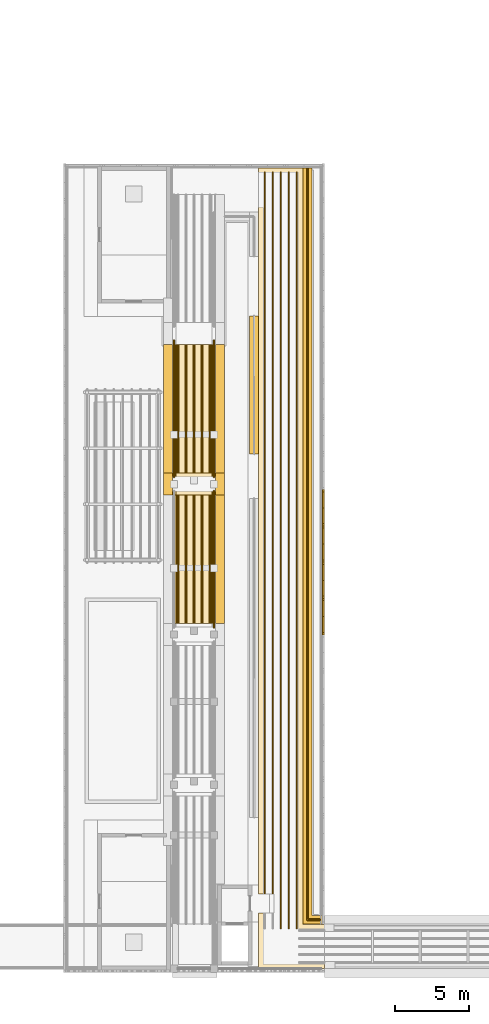
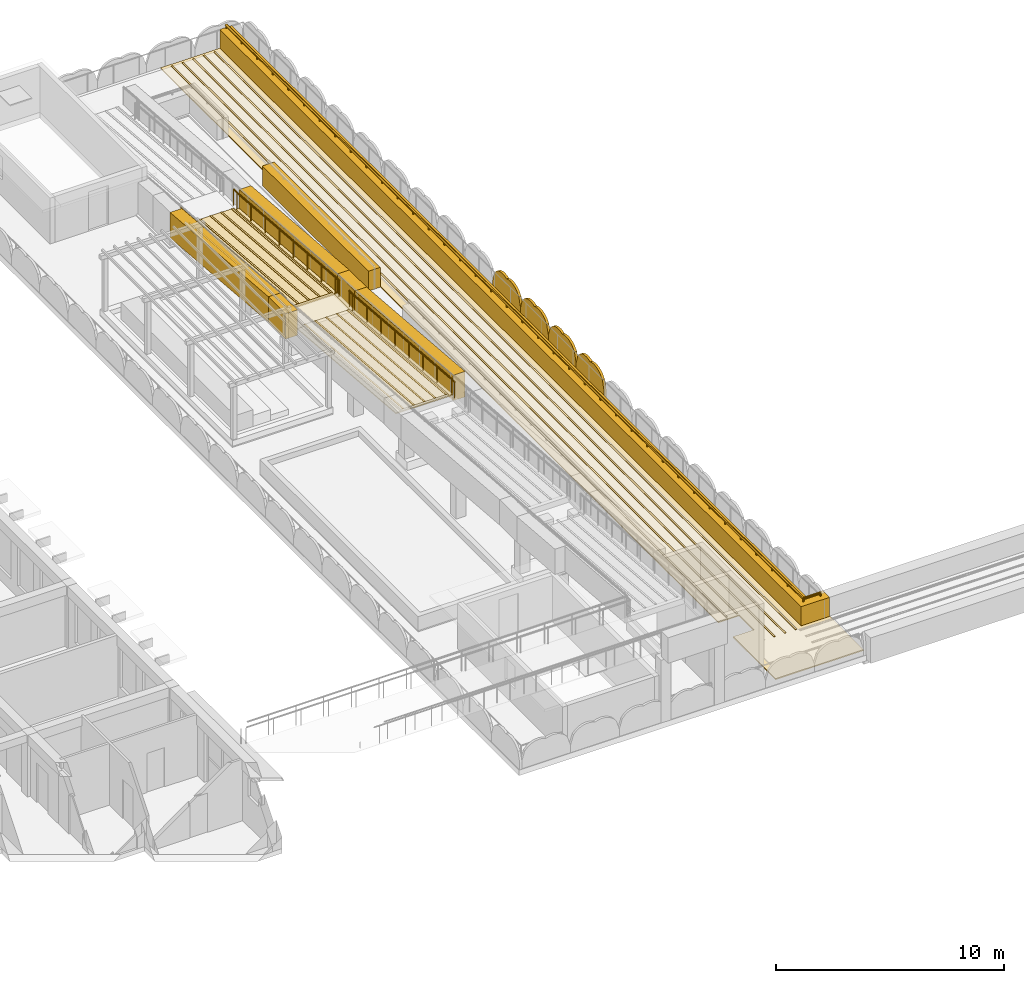
# One storey, part 64 of 65: 29 coverings, 4 railings, 4 shading devices.
"""IFC4 building model written with IfcOpenShell, lengths in metres."""

from ifc_helpers import new_model, si_unit, direction, frame, origin, origin_2d, place, context, subcontext, project, spatial, polyline, circle, outline, extrude, material, layer, layer_set, type_object, element, save


model = new_model("IFC4")

# Units and contexts
model_context = context("Model", 3, precision=1e-05, world=origin(), true_north=direction((0.0, 1.0)))
body_context = subcontext(model_context, "Body", "Model", "MODEL_VIEW")
ifc_project = project(units=[si_unit("LENGTHUNIT", "METRE"), si_unit("AREAUNIT", "SQUARE_METRE"), si_unit("VOLUMEUNIT", "CUBIC_METRE"), si_unit("PLANEANGLEUNIT", "RADIAN"), si_unit("MASSUNIT", "GRAM", prefix="KILO")], contexts=[model_context])

# Site, building, storey
site_placement = place(None, origin())
site = spatial("IfcSite", under=ifc_project, at=site_placement, CompositionType="ELEMENT")
building_placement = place(site_placement, origin())
building = spatial("IfcBuilding", under=site, at=building_placement, Name="Elbe Cascade School", CompositionType="ELEMENT")
storey_placement = place(building_placement, frame((0.0, 0.0, 11.699951171875)))
storey = spatial("IfcBuildingStorey", under=building, at=storey_placement, Name="L03", CompositionType="ELEMENT", Elevation=11.699951171875)

# Shading devices
ifc_material_1 = material(Name="Precast concrete C40/50", Category="concrete")
ifc_layer_1 = layer(ifc_material_1, 0.1201171875)
ifc_layer_set_1 = layer_set([ifc_layer_1], Name="Precast concrete C40/50")
shading_device_type = type_object("IfcShadingDeviceType", Name="Bars envelope Attic jali screen, pointed arch top, pierced precast concrete, 1200 high", PredefinedType="USERDEFINED", material=ifc_layer_set_1)
shading_device_1_placement = place(storey_placement, frame((145.52001953125, 28.523681640625, 0.0), z_axis=(1.0, 0.0, 0.0), x_axis=(0.0, 1.0, 0.0)))
element("IfcShadingDevice", 1, at=shading_device_1_placement, inside=storey, type_object=shading_device_type, Name="Attic jali screen SD1 C.L03.e10", ObjectType="JALI", PredefinedType="USERDEFINED", context=body_context, shape_type="SweptSolid", body=[
    extrude(outline(polyline([(0.0, 0.0), (2.440673828125, 0.0), (2.440673828125, 0.400146484375), (2.2880859375, 0.892822265625), (2.135498046875, 1.062744140625), (1.98291015625, 1.16748046875), (1.83056640625, 1.23193359375), (1.677978515625, 1.265380859375), (1.525390625, 1.271240234375), (1.372802734375, 1.250244140625), (1.22021484375, 1.199951171875), (1.06787109375, 1.250244140625), (0.915283203125, 1.271240234375), (0.762939453125, 1.265380859375), (0.610107421875, 1.23193359375), (0.457763671875, 1.16748046875), (0.30517578125, 1.062744140625), (0.152587890625, 0.892822265625), (0.0, 0.400146484375), (0.0, 0.0)])), origin(), (0.0, 0.0, -1.0), 0.1201171875),
])
shading_device_2_placement = place(storey_placement, frame((145.52001953125, 30.96435546875, 0.0), z_axis=(1.0, 0.0, 0.0), x_axis=(0.0, 1.0, 0.0)))
element("IfcShadingDevice", 2, at=shading_device_2_placement, inside=storey, type_object=shading_device_type, Name="Attic jali screen SD1 C.L03.e11", ObjectType="JALI", PredefinedType="USERDEFINED", context=body_context, shape_type="SweptSolid", body=[
    extrude(outline(polyline([(0.0, 0.0), (2.4404296875, 0.0), (2.4404296875, 0.400146484375), (2.287841796875, 0.892822265625), (2.13525390625, 1.062744140625), (1.98291015625, 1.16748046875), (1.830322265625, 1.23193359375), (1.677734375, 1.265380859375), (1.525146484375, 1.271240234375), (1.372802734375, 1.250244140625), (1.22021484375, 1.199951171875), (1.067626953125, 1.250244140625), (0.9150390625, 1.271240234375), (0.762451171875, 1.265380859375), (0.610107421875, 1.23193359375), (0.45751953125, 1.16748046875), (0.304931640625, 1.062744140625), (0.15234375, 0.892822265625), (0.0, 0.400146484375), (0.0, 0.0)])), origin(), (0.0, 0.0, -1.0), 0.1201171875),
])
shading_device_3_placement = place(storey_placement, frame((145.52001953125, 33.40478515625, 0.0), z_axis=(1.0, 0.0, 0.0), x_axis=(0.0, 1.0, 0.0)))
element("IfcShadingDevice", 3, at=shading_device_3_placement, inside=storey, type_object=shading_device_type, Name="Attic jali screen SD1 C.L03.e12", ObjectType="JALI", PredefinedType="USERDEFINED", context=body_context, shape_type="SweptSolid", body=[
    extrude(outline(polyline([(0.0, 0.0), (2.4404296875, 0.0), (2.4404296875, 0.400146484375), (2.287841796875, 0.892822265625), (2.135498046875, 1.062744140625), (1.98291015625, 1.16748046875), (1.830322265625, 1.23193359375), (1.677734375, 1.265380859375), (1.525390625, 1.271240234375), (1.372802734375, 1.250244140625), (1.22021484375, 1.199951171875), (1.067626953125, 1.250244140625), (0.9150390625, 1.271240234375), (0.7626953125, 1.265380859375), (0.610107421875, 1.23193359375), (0.45751953125, 1.16748046875), (0.304931640625, 1.062744140625), (0.152587890625, 0.892822265625), (0.0, 0.400146484375), (0.0, 0.0)])), origin(), (0.0, 0.0, -1.0), 0.1201171875),
])
shading_device_4_placement = place(storey_placement, frame((145.52001953125, 35.84521484375, 0.0), z_axis=(1.0, 0.0, 0.0), x_axis=(0.0, 1.0, 0.0)))
element("IfcShadingDevice", 4, at=shading_device_4_placement, inside=storey, type_object=shading_device_type, Name="Attic jali screen SD1 C.L03.e13", ObjectType="JALI", PredefinedType="USERDEFINED", context=body_context, shape_type="SweptSolid", body=[
    extrude(outline(polyline([(0.0, 0.0), (2.4404296875, 0.0), (2.4404296875, 0.400146484375), (2.2880859375, 0.892822265625), (2.135498046875, 1.062744140625), (1.98291015625, 1.16748046875), (1.830322265625, 1.23193359375), (1.677978515625, 1.265380859375), (1.525390625, 1.271240234375), (1.372802734375, 1.250244140625), (1.22021484375, 1.199951171875), (1.067626953125, 1.250244140625), (0.915283203125, 1.271240234375), (0.7626953125, 1.265380859375), (0.610107421875, 1.23193359375), (0.45751953125, 1.16748046875), (0.30517578125, 1.062744140625), (0.152587890625, 0.892822265625), (0.0, 0.400146484375), (0.0, 0.0)])), origin(), (0.0, 0.0, -1.0), 0.1201171875),
])

# Coverings
ifc_material_2 = material(Name="Running track surfacing - white lines", Category="surfacing")
ifc_layer_2 = layer(ifc_material_2, 0.02001953125)
ifc_layer_set_2 = layer_set([ifc_layer_2], Name="Running track surfacing - white lines")
covering_type_1 = type_object("IfcCoveringType", Name="Lane marking 80", PredefinedType="FLOORING", material=ifc_layer_set_2)
covering_1_placement = place(storey_placement, frame((0.0, 0.0, 0.219970703125)))
element("IfcCovering", 5, at=covering_1_placement, inside=storey, type_object=covering_type_1, Name="Lane marking C roof strip 1", PredefinedType="FLOORING", context=body_context, shape_type="SweptSolid", body=[
    extrude(outline(polyline([(141.47998046875, 59.699951171875), (141.56005859375, 59.699951171875), (141.56005859375, 11.050048828125), (141.47998046875, 11.050048828125), (141.47998046875, 59.699951171875)])), origin(), (0.0, 0.0, 1.0), 0.02001953125),
])
covering_2_placement = place(storey_placement, frame((0.0, 0.0, 0.219970703125)))
element("IfcCovering", 6, at=covering_2_placement, inside=storey, type_object=covering_type_1, Name="Lane marking C roof strip 2", PredefinedType="FLOORING", context=body_context, shape_type="SweptSolid", body=[
    extrude(outline(polyline([(142.02001953125, 59.699951171875), (142.10009765625, 59.699951171875), (142.10009765625, 11.050048828125), (142.02001953125, 11.050048828125), (142.02001953125, 59.699951171875)])), origin(), (0.0, 0.0, 1.0), 0.02001953125),
])
covering_3_placement = place(storey_placement, frame((0.0, 0.0, 0.219970703125)))
element("IfcCovering", 7, at=covering_3_placement, inside=storey, type_object=covering_type_1, Name="Lane marking C roof strip 3", PredefinedType="FLOORING", context=body_context, shape_type="SweptSolid", body=[
    extrude(outline(polyline([(142.56005859375, 59.699951171875), (142.639892578125, 59.699951171875), (142.639892578125, 8.699951171875), (142.56005859375, 8.699951171875), (142.56005859375, 59.699951171875)])), origin(), (0.0, 0.0, 1.0), 0.02001953125),
])
covering_4_placement = place(storey_placement, frame((0.0, 0.0, 0.219970703125)))
element("IfcCovering", 8, at=covering_4_placement, inside=storey, type_object=covering_type_1, Name="Lane marking C roof strip 4", PredefinedType="FLOORING", context=body_context, shape_type="SweptSolid", body=[
    extrude(outline(polyline([(143.10009765625, 59.699951171875), (143.179931640625, 59.699951171875), (143.179931640625, 8.699951171875), (143.10009765625, 8.699951171875), (143.10009765625, 59.699951171875)])), origin(), (0.0, 0.0, 1.0), 0.02001953125),
])
covering_5_placement = place(storey_placement, frame((0.0, 0.0, 0.219970703125)))
element("IfcCovering", 9, at=covering_5_placement, inside=storey, type_object=covering_type_1, Name="Lane marking C roof strip 5", PredefinedType="FLOORING", context=body_context, shape_type="SweptSolid", body=[
    extrude(outline(polyline([(143.639892578125, 59.699951171875), (143.719970703125, 59.699951171875), (143.719970703125, 8.699951171875), (143.639892578125, 8.699951171875), (143.639892578125, 59.699951171875)])), origin(), (0.0, 0.0, 1.0), 0.02001953125),
])
for number, where, z_axis, x_axis, name in (
    (10, (135.6298828125, 29.280029296875, 2.400146484375), (0.0, 0.083071114863, 0.996543621662), (0.0, 0.996543621662, -0.083071114863), "Lane marking C ramp flight 3 line 1"),
    (11, (136.169921875, 29.280029296875, 2.400146484375), (0.0, 0.083071114863, 0.996543621662), (0.0, 0.996543621662, -0.083071114863), "Lane marking C ramp flight 3 line 2"),
    (12, (136.7099609375, 29.280029296875, 2.400146484375), (0.0, 0.083071114863, 0.996543621662), (0.0, 0.996543621662, -0.083071114863), "Lane marking C ramp flight 3 line 3"),
    (13, (137.25, 29.280029296875, 2.400146484375), (0.0, 0.083071114863, 0.996543621662), (0.0, 0.996543621662, -0.083071114863), "Lane marking C ramp flight 3 line 4"),
    (14, (137.7900390625, 29.280029296875, 2.400146484375), (0.0, 0.083071114863, 0.996543621662), (0.0, 0.996543621662, -0.083071114863), "Lane marking C ramp flight 3 line 5"),
):
    element("IfcCovering", number, at=place(storey_placement, frame(where, z_axis=z_axis, x_axis=x_axis)), inside=storey, type_object=covering_type_1, Name=name, PredefinedType="FLOORING", context=body_context, shape_type="SweptSolid", body=[
        extrude(outline(polyline([(0.0, 0.0), (8.669858890587395, 0.0), (8.669858890587395, -0.08007812499999999), (0.0, -0.08007812499999999), (0.0, 0.0)])), origin(), (0.083071114863, 0.0, -0.996543621662), 0.02001953125),
    ])
for number, where, z_axis, x_axis, name in (
    (15, (135.6298828125, 39.419921875, 1.679931640625), (0.0, 0.083040819057, 0.996546146634), (0.0, 0.996546146634, -0.083040819057), "Lane marking C ramp flight 4 line 1"),
    (16, (136.169921875, 39.419921875, 1.679931640625), (0.0, 0.083040819057, 0.996546146634), (0.0, 0.996546146634, -0.083040819057), "Lane marking C ramp flight 4 line 2"),
    (17, (136.7099609375, 39.419921875, 1.679931640625), (0.0, 0.083040819057, 0.996546146634), (0.0, 0.996546146634, -0.083040819057), "Lane marking C ramp flight 4 line 3"),
    (18, (137.25, 39.419921875, 1.679931640625), (0.0, 0.083040819057, 0.996546146634), (0.0, 0.996546146634, -0.083040819057), "Lane marking C ramp flight 4 line 4"),
    (19, (137.7900390625, 39.419921875, 1.679931640625), (0.0, 0.083040819057, 0.996546146634), (0.0, 0.996546146634, -0.083040819057), "Lane marking C ramp flight 4 line 5"),
):
    element("IfcCovering", number, at=place(storey_placement, frame(where, z_axis=z_axis, x_axis=x_axis)), inside=storey, type_object=covering_type_1, Name=name, PredefinedType="FLOORING", context=body_context, shape_type="SweptSolid", body=[
        extrude(outline(polyline([(0.0, 0.0), (8.670081910342619, 0.0), (8.670081910342619, -0.080078125), (0.0, -0.080078125), (0.0, 0.0)])), origin(), (0.083040819057, 0.0, -0.996546146634), 0.02001953125),
    ])
ifc_material_3 = material(Name="Concrete C30/37 precast parapet", Category="concrete")
ifc_layer_3 = layer(ifc_material_3, 0.60009765625)
ifc_layer_set_3 = layer_set([ifc_layer_3], Name="Concrete C30/37 precast parapet")
covering_type_2 = type_object("IfcCoveringType", Name="Ramp and bridge parapet 600", PredefinedType="CLADDING", material=ifc_layer_set_3)
covering_6_placement = place(storey_placement, frame((0.0, 0.0, 1.199951171875)))
element("IfcCovering", 20, at=covering_6_placement, inside=storey, type_object=covering_type_2, Name="Ramp C landing 4 parapet w1", PredefinedType="CLADDING", context=body_context, shape_type="SweptSolid", body=[
    extrude(outline(polyline([(134.699951171875, 37.919921875), (135.300048828125, 37.919921875), (135.300048828125, 39.419921875), (134.699951171875, 39.419921875), (134.699951171875, 37.919921875)])), origin(), (0.0, 0.0, 1.0), 1.360107421875),
])
covering_7_placement = place(storey_placement, frame((134.699951171875, 39.419921875, 2.56005859375), z_axis=(0.0, 0.083040819057, 0.996546146634), x_axis=(0.0, 0.996546146634, -0.083040819057)))
element("IfcCovering", 21, at=covering_7_placement, inside=storey, type_object=covering_type_2, Name="Ramp C flight 4 parapet w1", PredefinedType="CLADDING", context=body_context, shape_type="SweptSolid", body=[
    extrude(outline(polyline([(0.0, 0.0), (8.670081910342619, 0.0), (8.670081910342619, -0.60009765625), (0.0, -0.60009765625), (0.0, 0.0)])), origin(), (0.083040819057, 0.0, -0.996546146634), 1.360107421875),
])
covering_8_placement = place(storey_placement, frame((0.0, 0.0, 1.199951171875)))
element("IfcCovering", 22, at=covering_8_placement, inside=storey, type_object=covering_type_2, Name="Ramp C landing 4 parapet e1", PredefinedType="CLADDING", context=body_context, shape_type="SweptSolid", body=[
    extrude(outline(polyline([(138.199951171875, 37.919921875), (138.800048828125, 37.919921875), (138.800048828125, 39.419921875), (138.199951171875, 39.419921875), (138.199951171875, 37.919921875)])), origin(), (0.0, 0.0, 1.0), 1.360107421875),
])
covering_9_placement = place(storey_placement, frame((138.199951171875, 29.280029296875, 3.280029296875), z_axis=(0.0, 0.08304314939, 0.996545952447), x_axis=(0.0, 0.996545952447, -0.08304314939)))
element("IfcCovering", 23, at=covering_9_placement, inside=storey, type_object=covering_type_2, Name="Ramp C flight 3 parapet e1", PredefinedType="CLADDING", context=body_context, shape_type="SweptSolid", body=[
    extrude(outline(polyline([(0.0, 0.0), (8.669838612967244, 0.0), (8.669838612967244, -0.60009765625), (0.0, -0.60009765625), (0.0, 0.0)])), origin(), (0.08304314939, 0.0, -0.996545952447), 1.360107421875),
])
covering_10_placement = place(storey_placement, frame((138.199951171875, 39.419921875, 2.56005859375), z_axis=(0.0, 0.083040819057, 0.996546146634), x_axis=(0.0, 0.996546146634, -0.083040819057)))
element("IfcCovering", 24, at=covering_10_placement, inside=storey, type_object=covering_type_2, Name="Ramp C flight 4 parapet e1", PredefinedType="CLADDING", context=body_context, shape_type="SweptSolid", body=[
    extrude(outline(polyline([(0.0, 0.0), (8.670081910342619, 0.0), (8.670081910342619, -0.60009765625), (0.0, -0.60009765625), (0.0, 0.0)])), origin(), (0.083040819057, 0.0, -0.996546146634), 1.360107421875),
])
ifc_material_4 = material(Name="Running track surfacing - red", Category="surfacing")
ifc_layer_4 = layer(ifc_material_4, 0.10009765625)
ifc_layer_set_4 = layer_set([ifc_layer_4], Name="Running track surfacing - red")
covering_type_3 = type_object("IfcCoveringType", Name="Running track band 100", PredefinedType="USERDEFINED", material=ifc_layer_set_4)
covering_11_placement = place(storey_placement, frame((0.0, 0.0, 1.56005859375)))
element("IfcCovering", 25, at=covering_11_placement, inside=storey, type_object=covering_type_3, Name="Running track band C ramp landing 4", ObjectType="RUNNING TRACK", PredefinedType="USERDEFINED", context=body_context, shape_type="SweptSolid", body=[
    extrude(outline(polyline([(137.949951171875, 37.919921875), (137.949951171875, 39.419921875), (135.550048828125, 39.419921875), (135.550048828125, 37.919921875), (137.949951171875, 37.919921875)])), origin(), (0.0, 0.0, 1.0), 0.10009765625),
])
covering_12_placement = place(storey_placement, frame((135.550048828125, 29.280029296875, 2.380126953125), z_axis=(0.0, 0.08304314939, 0.996545952447), x_axis=(0.0, 0.996545952447, -0.08304314939)))
element("IfcCovering", 26, at=covering_12_placement, inside=storey, type_object=covering_type_3, Name="Running track band C ramp flight 3", ObjectType="RUNNING TRACK", PredefinedType="USERDEFINED", context=body_context, shape_type="SweptSolid", body=[
    extrude(outline(polyline([(0.0, 0.0), (8.669838612967244, 0.0), (8.669838612967244, -2.3999023437500004), (0.0, -2.3999023437500004), (0.0, 0.0)])), origin(), (0.08304314939, 0.0, -0.996545952447), 0.10009765625),
])
covering_13_placement = place(storey_placement, frame((135.550048828125, 39.419921875, 1.66015625), z_axis=(0.0, 0.083068783756, 0.996543815979), x_axis=(0.0, 0.996543815979, -0.083068783756)))
element("IfcCovering", 27, at=covering_13_placement, inside=storey, type_object=covering_type_3, Name="Running track band C ramp flight 4", ObjectType="RUNNING TRACK", PredefinedType="USERDEFINED", context=body_context, shape_type="SweptSolid", body=[
    extrude(outline(polyline([(0.0, 0.0), (8.670102187393748, 0.0), (8.670102187393748, -2.39990234375), (0.0, -2.39990234375), (0.0, 0.0)])), origin(), (0.083068783756, 0.0, -0.996543815979), 0.10009765625),
])
ifc_material_5 = material(Name="Running track surfacing - red", Category="surfacing")
ifc_layer_5 = layer(ifc_material_5, 0.06005859375)
ifc_layer_set_5 = layer_set([ifc_layer_5], Name="Running track surfacing - red")
covering_type_4 = type_object("IfcCoveringType", Name="Running track surfacing 60", PredefinedType="USERDEFINED", material=ifc_layer_set_5)
covering_14_placement = place(storey_placement, frame((0.0, 0.0, 0.06005859375)))
element("IfcCovering", 28, at=covering_14_placement, inside=storey, type_object=covering_type_4, Name="Running track C roof", ObjectType="RUNNING TRACK", PredefinedType="USERDEFINED", context=body_context, shape_type="SweptSolid", body=[
    extrude(outline(polyline([(141.10009765625, 59.969970703125), (144.10009765625, 59.969970703125), (144.10009765625, 8.969970703125), (145.550048828125, 8.969970703125), (145.550048828125, 6.030029296875), (141.10009765625, 6.030029296875), (141.10009765625, 9.75), (142.14990234375, 9.75), (142.14990234375, 11.050048828125), (141.10009765625, 11.050048828125), (141.10009765625, 59.969970703125)])), origin(), (0.0, 0.0, 1.0), 0.06005859375),
])
covering_15_placement = place(storey_placement, frame((0.0, 0.0, 1.5)))
element("IfcCovering", 29, at=covering_15_placement, inside=storey, type_object=covering_type_4, Name="Running track C ramp landing 4", ObjectType="RUNNING TRACK", PredefinedType="USERDEFINED", context=body_context, shape_type="SweptSolid", body=[
    extrude(outline(polyline([(138.199951171875, 37.919921875), (138.199951171875, 39.419921875), (135.300048828125, 39.419921875), (135.300048828125, 37.919921875), (138.199951171875, 37.919921875)])), origin(), (0.0, 0.0, 1.0), 0.06005859375),
])
covering_16_placement = place(storey_placement, frame((135.300048828125, 29.280029296875, 2.280029296875), z_axis=(0.0, 0.08304314939, 0.996545952447), x_axis=(0.0, 0.996545952447, -0.08304314939)))
element("IfcCovering", 30, at=covering_16_placement, inside=storey, type_object=covering_type_4, Name="Running track C ramp flight 3", ObjectType="RUNNING TRACK", PredefinedType="USERDEFINED", context=body_context, shape_type="SweptSolid", body=[
    extrude(outline(polyline([(0.0, 0.0), (8.669838612967244, 0.0), (8.669838612967244, -2.89990234375), (0.0, -2.89990234375), (0.0, 0.0)])), origin(), (0.08304314939, 0.0, -0.996545952447), 0.06005859375),
])
covering_17_placement = place(storey_placement, frame((135.300048828125, 39.419921875, 1.56005859375), z_axis=(0.0, 0.083040819057, 0.996546146634), x_axis=(0.0, 0.996546146634, -0.083040819057)))
element("IfcCovering", 31, at=covering_17_placement, inside=storey, type_object=covering_type_4, Name="Running track C ramp flight 4", ObjectType="RUNNING TRACK", PredefinedType="USERDEFINED", context=body_context, shape_type="SweptSolid", body=[
    extrude(outline(polyline([(0.0, 0.0), (8.670081910342619, 0.0), (8.670081910342619, -2.89990234375), (0.0, -2.89990234375), (0.0, 0.0)])), origin(), (0.083040819057, 0.0, -0.996546146634), 0.06005859375),
])

# Railings
ifc_material_6 = material(Name="Steel S355J2H", Category="steel")
railing_type_1 = type_object("IfcRailingType", Name="Track edge rail 1280", PredefinedType="GUARDRAIL", material=ifc_material_6)
railing_1_placement = place(storey_placement, frame((144.39990234375, 59.927978515625, 0.06005859375)))
element("IfcRailing", 32, at=railing_1_placement, inside=storey, type_object=railing_type_1, Name="Track edge rail RL6 C east", PredefinedType="GUARDRAIL", context=body_context, shape_type="SweptSolid", body=[
    extrude(circle(Radius=0.06005859375, at=origin_2d()), frame((0.0, 0.0, 1.219970703125), z_axis=(0.0, -1.0, 0.0), x_axis=(1.0, 0.0, 0.0)), (0.0, 0.0, 1.0), 50.6279296875),
    extrude(circle(Radius=0.06005859375, at=origin_2d()), frame((0.0, -50.6279296875, 1.219970703125), z_axis=(1.0, 0.0, 0.0), x_axis=(0.0, 1.0, 0.0)), (0.0, 0.0, 1.0), 0.858154296875),
    extrude(circle(Radius=0.0400390625, at=origin_2d()), origin(), (0.0, 0.0, 1.0), 1.159912109375),
    extrude(circle(Radius=0.0400390625, at=origin_2d()), frame((0.0, -1.368408203125, 0.0)), (0.0, 0.0, 1.0), 1.159912109375),
    extrude(circle(Radius=0.0400390625, at=origin_2d()), frame((0.0, -2.736572265625, 0.0)), (0.0, 0.0, 1.0), 1.159912109375),
    extrude(circle(Radius=0.0400390625, at=origin_2d()), frame((0.0, -4.10498046875, 0.0)), (0.0, 0.0, 1.0), 1.159912109375),
    extrude(circle(Radius=0.0400390625, at=origin_2d()), frame((0.0, -5.473388671875, 0.0)), (0.0, 0.0, 1.0), 1.159912109375),
    extrude(circle(Radius=0.0400390625, at=origin_2d()), frame((0.0, -6.841552734375, 0.0)), (0.0, 0.0, 1.0), 1.159912109375),
    extrude(circle(Radius=0.0400390625, at=origin_2d()), frame((0.0, -8.2099609375, 0.0)), (0.0, 0.0, 1.0), 1.159912109375),
    extrude(circle(Radius=0.0400390625, at=origin_2d()), frame((0.0, -9.578369140625, 0.0)), (0.0, 0.0, 1.0), 1.159912109375),
    extrude(circle(Radius=0.0400390625, at=origin_2d()), frame((0.0, -10.946533203125, 0.0)), (0.0, 0.0, 1.0), 1.159912109375),
    extrude(circle(Radius=0.0400390625, at=origin_2d()), frame((0.0, -12.31494140625, 0.0)), (0.0, 0.0, 1.0), 1.159912109375),
    extrude(circle(Radius=0.0400390625, at=origin_2d()), frame((0.0, -13.68310546875, 0.0)), (0.0, 0.0, 1.0), 1.159912109375),
    extrude(circle(Radius=0.0400390625, at=origin_2d()), frame((0.0, -15.051513671875, 0.0)), (0.0, 0.0, 1.0), 1.159912109375),
    extrude(circle(Radius=0.0400390625, at=origin_2d()), frame((0.0, -16.419921875, 0.0)), (0.0, 0.0, 1.0), 1.159912109375),
    extrude(circle(Radius=0.0400390625, at=origin_2d()), frame((0.0, -17.7880859375, 0.0)), (0.0, 0.0, 1.0), 1.159912109375),
    extrude(circle(Radius=0.0400390625, at=origin_2d()), frame((0.0, -19.156494140625, 0.0)), (0.0, 0.0, 1.0), 1.159912109375),
    extrude(circle(Radius=0.0400390625, at=origin_2d()), frame((0.0, -20.52490234375, 0.0)), (0.0, 0.0, 1.0), 1.159912109375),
    extrude(circle(Radius=0.0400390625, at=origin_2d()), frame((0.0, -21.89306640625, 0.0)), (0.0, 0.0, 1.0), 1.159912109375),
    extrude(circle(Radius=0.0400390625, at=origin_2d()), frame((0.0, -23.261474609375, 0.0)), (0.0, 0.0, 1.0), 1.159912109375),
    extrude(circle(Radius=0.0400390625, at=origin_2d()), frame((0.0, -24.6298828125, 0.0)), (0.0, 0.0, 1.0), 1.159912109375),
    extrude(circle(Radius=0.0400390625, at=origin_2d()), frame((0.0, -25.998046875, 0.0)), (0.0, 0.0, 1.0), 1.159912109375),
    extrude(circle(Radius=0.0400390625, at=origin_2d()), frame((0.0, -27.366455078125, 0.0)), (0.0, 0.0, 1.0), 1.159912109375),
    extrude(circle(Radius=0.0400390625, at=origin_2d()), frame((0.0, -28.73486328125, 0.0)), (0.0, 0.0, 1.0), 1.159912109375),
    extrude(circle(Radius=0.0400390625, at=origin_2d()), frame((0.0, -30.10302734375, 0.0)), (0.0, 0.0, 1.0), 1.159912109375),
    extrude(circle(Radius=0.0400390625, at=origin_2d()), frame((0.0, -31.471435546875, 0.0)), (0.0, 0.0, 1.0), 1.159912109375),
    extrude(circle(Radius=0.0400390625, at=origin_2d()), frame((0.0, -32.83984375, 0.0)), (0.0, 0.0, 1.0), 1.159912109375),
    extrude(circle(Radius=0.0400390625, at=origin_2d()), frame((0.0, -34.2080078125, 0.0)), (0.0, 0.0, 1.0), 1.159912109375),
    extrude(circle(Radius=0.0400390625, at=origin_2d()), frame((0.0, -35.576416015625, 0.0)), (0.0, 0.0, 1.0), 1.159912109375),
    extrude(circle(Radius=0.0400390625, at=origin_2d()), frame((0.0, -36.94482421875, 0.0)), (0.0, 0.0, 1.0), 1.159912109375),
    extrude(circle(Radius=0.0400390625, at=origin_2d()), frame((0.0, -38.31298828125, 0.0)), (0.0, 0.0, 1.0), 1.159912109375),
    extrude(circle(Radius=0.0400390625, at=origin_2d()), frame((0.0, -39.681396484375, 0.0)), (0.0, 0.0, 1.0), 1.159912109375),
    extrude(circle(Radius=0.0400390625, at=origin_2d()), frame((0.0, -41.049560546875, 0.0)), (0.0, 0.0, 1.0), 1.159912109375),
    extrude(circle(Radius=0.0400390625, at=origin_2d()), frame((0.0, -42.41796875, 0.0)), (0.0, 0.0, 1.0), 1.159912109375),
    extrude(circle(Radius=0.0400390625, at=origin_2d()), frame((0.0, -43.786376953125, 0.0)), (0.0, 0.0, 1.0), 1.159912109375),
    extrude(circle(Radius=0.0400390625, at=origin_2d()), frame((0.0, -45.154541015625, 0.0)), (0.0, 0.0, 1.0), 1.159912109375),
    extrude(circle(Radius=0.0400390625, at=origin_2d()), frame((0.0, -46.52294921875, 0.0)), (0.0, 0.0, 1.0), 1.159912109375),
    extrude(circle(Radius=0.0400390625, at=origin_2d()), frame((0.0, -47.891357421875, 0.0)), (0.0, 0.0, 1.0), 1.159912109375),
    extrude(circle(Radius=0.0400390625, at=origin_2d()), frame((0.0, -49.259521484375, 0.0)), (0.0, 0.0, 1.0), 1.159912109375),
    extrude(circle(Radius=0.0400390625, at=origin_2d()), frame((0.0, -50.6279296875, 0.0)), (0.0, 0.0, 1.0), 1.159912109375),
    extrude(circle(Radius=0.0400390625, at=origin_2d()), frame((0.858154296875, -50.6279296875, 0.0)), (0.0, 0.0, 1.0), 1.159912109375),
])
ifc_material_7 = material(Name="Steel S355J2H", Category="steel")
railing_type_2 = type_object("IfcRailingType", Name="Track handrail 900", PredefinedType="HANDRAIL", material=ifc_material_7)
railing_2_placement = place(storey_placement, frame((138.10009765625, 28.97998046875, 2.280029296875)))
element("IfcRailing", 33, at=railing_2_placement, inside=storey, type_object=railing_type_2, Name="Track handrail RL5 B-C south and east flight 3", PredefinedType="HANDRAIL", context=body_context, shape_type="SweptSolid", body=[
    extrude(circle(Radius=0.0400390625, at=origin_2d()), frame((0.0, 0.0, 0.85986328125), z_axis=(0.0, 1.0, 0.0), x_axis=(-1.0, 0.0, 0.0)), (0.0, 0.0, 1.0), 0.300048828125),
    extrude(circle(Radius=0.0400390625, at=origin_2d()), frame((0.0, 0.300048828125, 0.85986328125), z_axis=(0.0, 0.996545952447, -0.08304314939), x_axis=(-1.0, 0.0, 0.0)), (0.0, 0.0, 1.0), 8.669921875),
    extrude(circle(Radius=0.0400390625, at=origin_2d()), frame((0.0, 8.93994140625, 0.139892578125), z_axis=(0.0, 1.0, 0.0), x_axis=(-1.0, 0.0, 0.0)), (0.0, 0.0, 1.0), 0.300048828125),
    extrude(circle(Radius=0.02099609375, at=origin_2d()), origin(), (0.0, 0.0, 1.0), 0.81982421875),
    extrude(circle(Radius=0.02099609375, at=origin_2d()), frame((0.0, 0.300048828125, 0.0)), (0.0, 0.0, 1.0), 0.81982421875),
    extrude(circle(Radius=0.02099609375, at=origin_2d()), frame((0.0, 1.534423828125, -0.102783203125)), (0.0, 0.0, 1.0), 0.81982421875),
    extrude(circle(Radius=0.02099609375, at=origin_2d()), frame((0.0, 2.7685546875, -0.205810546875)), (0.0, 0.0, 1.0), 0.81982421875),
    extrude(circle(Radius=0.02099609375, at=origin_2d()), frame((0.0, 4.0029296875, -0.30859375)), (0.0, 0.0, 1.0), 0.81982421875),
    extrude(circle(Radius=0.02099609375, at=origin_2d()), frame((0.0, 5.237060546875, -0.411376953125)), (0.0, 0.0, 1.0), 0.81982421875),
    extrude(circle(Radius=0.02099609375, at=origin_2d()), frame((0.0, 6.471435546875, -0.51416015625)), (0.0, 0.0, 1.0), 0.81982421875),
    extrude(circle(Radius=0.02099609375, at=origin_2d()), frame((0.0, 7.70556640625, -0.6171875)), (0.0, 0.0, 1.0), 0.81982421875),
    extrude(circle(Radius=0.02099609375, at=origin_2d()), frame((0.0, 8.93994140625, -0.719970703125)), (0.0, 0.0, 1.0), 0.81982421875),
    extrude(circle(Radius=0.02099609375, at=origin_2d()), frame((0.0, 9.239990234375, -0.719970703125)), (0.0, 0.0, 1.0), 0.81982421875),
])
railing_3_placement = place(storey_placement, frame((138.10009765625, 39.1201171875, 1.56005859375)))
element("IfcRailing", 34, at=railing_3_placement, inside=storey, type_object=railing_type_2, Name="Track handrail RL5 B-C south and east flight 4", PredefinedType="HANDRAIL", context=body_context, shape_type="SweptSolid", body=[
    extrude(circle(Radius=0.0400390625, at=origin_2d()), frame((0.0, 0.0, 0.85986328125), z_axis=(0.0, 1.0, 0.0), x_axis=(-1.0, 0.0, 0.0)), (0.0, 0.0, 1.0), 0.2998046875),
    extrude(circle(Radius=0.0400390625, at=origin_2d()), frame((0.0, 0.2998046875, 0.85986328125), z_axis=(0.0, 0.996546146634, -0.083040819057), x_axis=(-1.0, 0.0, 0.0)), (0.0, 0.0, 1.0), 8.670166015625),
    extrude(circle(Radius=0.0400390625, at=origin_2d()), frame((0.0, 8.93994140625, 0.139892578125), z_axis=(0.0, 1.0, 0.0), x_axis=(-1.0, 0.0, 0.0)), (0.0, 0.0, 1.0), 0.300048828125),
    extrude(circle(Radius=0.02099609375, at=origin_2d()), origin(), (0.0, 0.0, 1.0), 0.81982421875),
    extrude(circle(Radius=0.02099609375, at=origin_2d()), frame((0.0, 0.2998046875, 0.0)), (0.0, 0.0, 1.0), 0.81982421875),
    extrude(circle(Radius=0.02099609375, at=origin_2d()), frame((0.0, 1.5341796875, -0.102783203125)), (0.0, 0.0, 1.0), 0.81982421875),
    extrude(circle(Radius=0.02099609375, at=origin_2d()), frame((0.0, 2.768310546875, -0.205810546875)), (0.0, 0.0, 1.0), 0.81982421875),
    extrude(circle(Radius=0.02099609375, at=origin_2d()), frame((0.0, 4.002685546875, -0.30859375)), (0.0, 0.0, 1.0), 0.81982421875),
    extrude(circle(Radius=0.02099609375, at=origin_2d()), frame((0.0, 5.237060546875, -0.411376953125)), (0.0, 0.0, 1.0), 0.81982421875),
    extrude(circle(Radius=0.02099609375, at=origin_2d()), frame((0.0, 6.471435546875, -0.51416015625)), (0.0, 0.0, 1.0), 0.81982421875),
    extrude(circle(Radius=0.02099609375, at=origin_2d()), frame((0.0, 7.70556640625, -0.6171875)), (0.0, 0.0, 1.0), 0.81982421875),
    extrude(circle(Radius=0.02099609375, at=origin_2d()), frame((0.0, 8.93994140625, -0.719970703125)), (0.0, 0.0, 1.0), 0.81982421875),
    extrude(circle(Radius=0.02099609375, at=origin_2d()), frame((0.0, 9.239990234375, -0.719970703125)), (0.0, 0.0, 1.0), 0.81982421875),
])
railing_4_placement = place(storey_placement, frame((135.39990234375, 39.1201171875, 1.56005859375)))
element("IfcRailing", 35, at=railing_4_placement, inside=storey, type_object=railing_type_2, Name="Track handrail RL5 B-C north and west flight 4", PredefinedType="HANDRAIL", context=body_context, shape_type="SweptSolid", body=[
    extrude(circle(Radius=0.0400390625, at=origin_2d()), frame((0.0, 0.0, 0.85986328125), z_axis=(0.0, 1.0, 0.0), x_axis=(-1.0, 0.0, 0.0)), (0.0, 0.0, 1.0), 0.2998046875),
    extrude(circle(Radius=0.0400390625, at=origin_2d()), frame((0.0, 0.2998046875, 0.85986328125), z_axis=(0.0, 0.996546146634, -0.083040819057), x_axis=(-1.0, 0.0, 0.0)), (0.0, 0.0, 1.0), 8.670166015625),
    extrude(circle(Radius=0.0400390625, at=origin_2d()), frame((0.0, 8.93994140625, 0.139892578125), z_axis=(0.0, 1.0, 0.0), x_axis=(-1.0, 0.0, 0.0)), (0.0, 0.0, 1.0), 0.300048828125),
    extrude(circle(Radius=0.02099609375, at=origin_2d()), origin(), (0.0, 0.0, 1.0), 0.81982421875),
    extrude(circle(Radius=0.02099609375, at=origin_2d()), frame((0.0, 0.2998046875, 0.0)), (0.0, 0.0, 1.0), 0.81982421875),
    extrude(circle(Radius=0.02099609375, at=origin_2d()), frame((0.0, 1.5341796875, -0.102783203125)), (0.0, 0.0, 1.0), 0.81982421875),
    extrude(circle(Radius=0.02099609375, at=origin_2d()), frame((0.0, 2.768310546875, -0.205810546875)), (0.0, 0.0, 1.0), 0.81982421875),
    extrude(circle(Radius=0.02099609375, at=origin_2d()), frame((0.0, 4.002685546875, -0.30859375)), (0.0, 0.0, 1.0), 0.81982421875),
    extrude(circle(Radius=0.02099609375, at=origin_2d()), frame((0.0, 5.237060546875, -0.411376953125)), (0.0, 0.0, 1.0), 0.81982421875),
    extrude(circle(Radius=0.02099609375, at=origin_2d()), frame((0.0, 6.471435546875, -0.51416015625)), (0.0, 0.0, 1.0), 0.81982421875),
    extrude(circle(Radius=0.02099609375, at=origin_2d()), frame((0.0, 7.70556640625, -0.6171875)), (0.0, 0.0, 1.0), 0.81982421875),
    extrude(circle(Radius=0.02099609375, at=origin_2d()), frame((0.0, 8.93994140625, -0.719970703125)), (0.0, 0.0, 1.0), 0.81982421875),
    extrude(circle(Radius=0.02099609375, at=origin_2d()), frame((0.0, 9.239990234375, -0.719970703125)), (0.0, 0.0, 1.0), 0.81982421875),
])

# Coverings
ifc_material_8 = material(Name="Concrete C30/37 precast parapet", Category="concrete")
ifc_layer_6 = layer(ifc_material_8, 0.60009765625)
ifc_layer_set_6 = layer_set([ifc_layer_6], Name="Concrete C30/37 precast parapet")
covering_type_5 = type_object("IfcCoveringType", Name="Track parapet on deck 600x1060", PredefinedType="CLADDING", material=ifc_layer_set_6)
covering_18_placement = place(storey_placement, frame((0.0, 0.0, 0.06005859375)))
element("IfcCovering", 36, at=covering_18_placement, inside=storey, type_object=covering_type_5, Name="Track parapet C east", PredefinedType="CLADDING", context=body_context, shape_type="SweptSolid", body=[
    extrude(outline(polyline([(144.10009765625, 59.969970703125), (144.699951171875, 59.969970703125), (144.699951171875, 9.60009765625), (145.550048828125, 9.60009765625), (145.550048828125, 9.0), (144.10009765625, 9.0), (144.10009765625, 59.969970703125)])), origin(), (0.0, 0.0, 1.0), 1.06005859375),
])
covering_19_placement = place(storey_placement, frame((0.0, 0.0, 0.06005859375)))
element("IfcCovering", 37, at=covering_19_placement, inside=storey, type_object=covering_type_5, Name="Track parapet C west 2", PredefinedType="CLADDING", context=body_context, shape_type="SweptSolid", body=[
    extrude(outline(polyline([(140.5, 50.0), (141.10009765625, 50.0), (141.10009765625, 40.699951171875), (140.5, 40.699951171875), (140.5, 50.0)])), origin(), (0.0, 0.0, 1.0), 1.06005859375),
])

save(model, "model.ifc")
